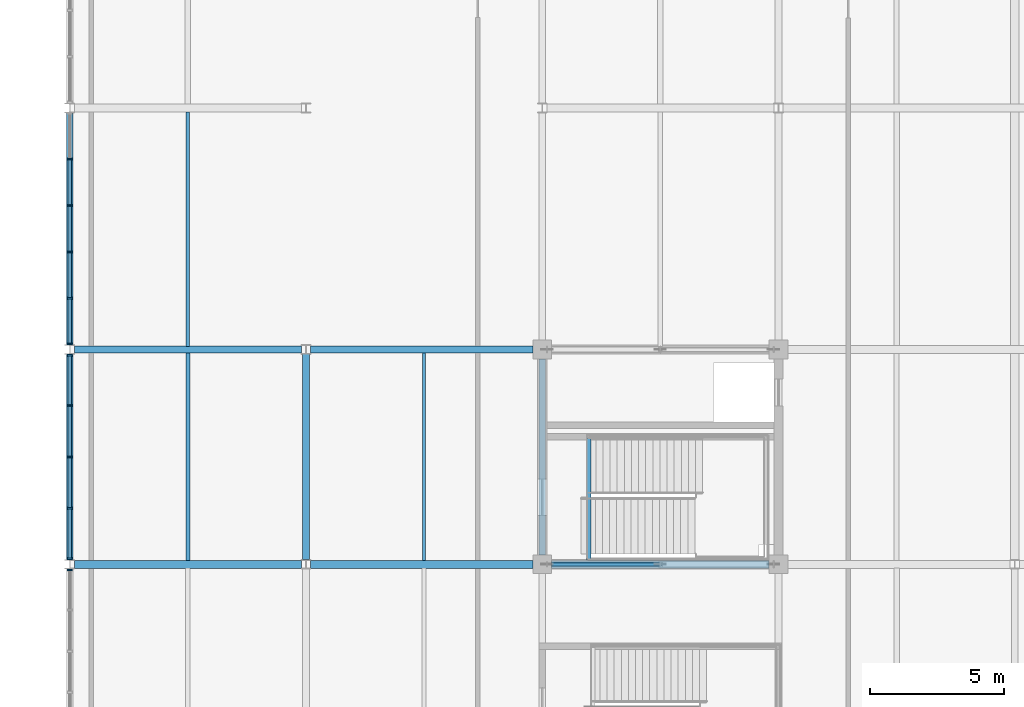
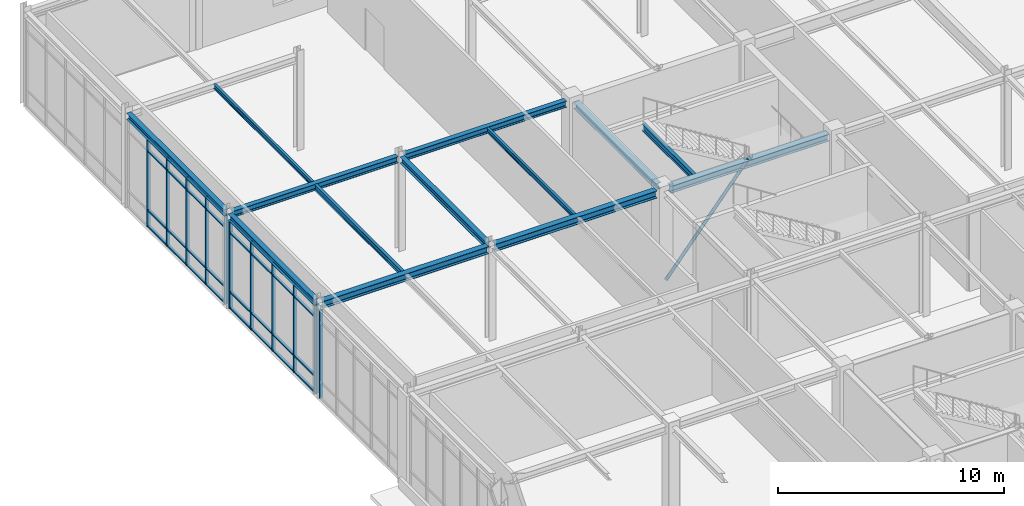
# One storey, part 39 of 108: 44 members, 13 beams, 3 elements without a shape of their own.
"""IFC4 building model written with IfcOpenShell, lengths in metres."""

from ifc_helpers import new_model, si_unit, direction, frame, origin, origin_2d, place, context, subcontext, project, spatial, rectangle, hollow_circle, i_section, extrude, material, material_profile, profile_set, type_object, element, aggregate, save


model = new_model("IFC4")

# Units and contexts
model_context = context("Model", 3, precision=1e-05, world=origin(), true_north=direction((0.0, 1.0)))
body_context = subcontext(model_context, "Body", "Model", "MODEL_VIEW")
ifc_project = project(units=[si_unit("LENGTHUNIT", "METRE"), si_unit("AREAUNIT", "SQUARE_METRE"), si_unit("VOLUMEUNIT", "CUBIC_METRE"), si_unit("PLANEANGLEUNIT", "RADIAN"), si_unit("MASSUNIT", "GRAM", prefix="KILO")], contexts=[model_context])

# Site, building, storey
site_placement = place(None, origin())
site = spatial("IfcSite", under=ifc_project, at=site_placement, CompositionType="ELEMENT")
building_placement = place(site_placement, origin())
building = spatial("IfcBuilding", under=site, at=building_placement, Name="Zhaolan Boulevard Law Courts", CompositionType="ELEMENT")
storey_placement = place(building_placement, frame((0.0, 0.0, 10.800048828125)))
storey = spatial("IfcBuildingStorey", under=building, at=storey_placement, Name="L02", CompositionType="ELEMENT", Elevation=10.800048828125)

# Curtain wall, member
ifc_material_1 = material(Name="Thermally broken aluminium and low-E glazing", Category="aluminium")
curtain_wall_type_1 = type_object("IfcCurtainWallType", Name="CURTAIN WALL M19", PredefinedType="USERDEFINED", material=ifc_material_1)
curtain_wall_1_placement = place(storey_placement, origin())
curtain_wall_1 = element("IfcCurtainWall", 1, at=curtain_wall_1_placement, inside=storey, type_object=curtain_wall_type_1, Name="Curtain Wall CW-L02-115", ObjectType="CURTAIN WALL", PredefinedType="USERDEFINED")
ifc_material_2 = material(Name="Fluorocarbon-coated aluminium 6063-T6", Category="aluminium")
ifc_material_profile_1 = material_profile(ifc_material_2, rectangle(XDim=0.179931640625, YDim=0.06494140625, at=origin_2d()), Name="AL65x180")
ifc_profile_set_1 = profile_set([ifc_material_profile_1], Name="Fluorocarbon-coated aluminium 6063-T6")
member_type_1 = type_object("IfcMemberType", Name="CWMULLION 65X180", PredefinedType="MULLION", material=ifc_profile_set_1)
member_1_placement = place(storey_placement, frame((0.0, 85.79052734375, 0.0), z_axis=(0.0, 0.0, 1.0), x_axis=(1.0, 0.0, 0.0)))
member_1 = element("IfcMember", 2, at=member_1_placement, type_object=member_type_1, Name="CW-L02-115 mullion 1", PredefinedType="MULLION", context=body_context, shape_type="SweptSolid", body=[
    extrude(rectangle(XDim=0.179931640625, YDim=0.06494140625, at=origin_2d()), origin(), (0.0, 0.0, 1.0), 4.762939453125),
])
aggregate(curtain_wall_1, [member_1])

# Curtain wall, members
ifc_material_3 = material(Name="Thermally broken aluminium and low-E glazing", Category="aluminium")
curtain_wall_type_2 = type_object("IfcCurtainWallType", Name="CURTAIN WALL M20", PredefinedType="USERDEFINED", material=ifc_material_3)
curtain_wall_2_placement = place(storey_placement, origin())
curtain_wall_2 = element("IfcCurtainWall", 3, at=curtain_wall_2_placement, inside=storey, type_object=curtain_wall_type_2, Name="Curtain Wall CW-L02-116", ObjectType="CURTAIN WALL", PredefinedType="USERDEFINED")
member_2_placement = place(storey_placement, frame((0.0, 93.79052734375, 0.0), z_axis=(0.0, 0.0, 1.0), x_axis=(1.0, 0.0, 0.0)))
member_2 = element("IfcMember", 4, at=member_2_placement, type_object=member_type_1, Name="CW-L02-116 mullion 1", PredefinedType="MULLION", context=body_context, shape_type="SweptSolid", body=[
    extrude(rectangle(XDim=0.179931640625, YDim=0.06494140625, at=origin_2d()), origin(), (0.0, 0.0, 1.0), 4.762939453125),
])
member_3_placement = place(storey_placement, frame((0.0, 91.91162109375, 0.0), z_axis=(0.0, 0.0, 1.0), x_axis=(1.0, 0.0, 0.0)))
member_3 = element("IfcMember", 5, at=member_3_placement, type_object=member_type_1, Name="CW-L02-116 mullion 2", PredefinedType="MULLION", context=body_context, shape_type="SweptSolid", body=[
    extrude(rectangle(XDim=0.179931640625, YDim=0.06494140625, at=origin_2d()), origin(), (0.0, 0.0, 1.0), 4.762939453125),
])
member_4_placement = place(storey_placement, frame((0.0, 90.0, 0.0), z_axis=(0.0, 0.0, 1.0), x_axis=(1.0, 0.0, 0.0)))
member_4 = element("IfcMember", 6, at=member_4_placement, type_object=member_type_1, Name="CW-L02-116 mullion 3", PredefinedType="MULLION", context=body_context, shape_type="SweptSolid", body=[
    extrude(rectangle(XDim=0.179931640625, YDim=0.06494140625, at=origin_2d()), origin(), (0.0, 0.0, 1.0), 4.762939453125),
])
member_5_placement = place(storey_placement, frame((0.0, 88.08837890625, 0.0), z_axis=(0.0, 0.0, 1.0), x_axis=(1.0, 0.0, 0.0)))
member_5 = element("IfcMember", 7, at=member_5_placement, type_object=member_type_1, Name="CW-L02-116 mullion 4", PredefinedType="MULLION", context=body_context, shape_type="SweptSolid", body=[
    extrude(rectangle(XDim=0.179931640625, YDim=0.06494140625, at=origin_2d()), origin(), (0.0, 0.0, 1.0), 4.762939453125),
])
member_6_placement = place(storey_placement, frame((0.0, 86.20947265625, 0.0), z_axis=(0.0, 0.0, 1.0), x_axis=(1.0, 0.0, 0.0)))
member_6 = element("IfcMember", 8, at=member_6_placement, type_object=member_type_1, Name="CW-L02-116 mullion 5", PredefinedType="MULLION", context=body_context, shape_type="SweptSolid", body=[
    extrude(rectangle(XDim=0.179931640625, YDim=0.06494140625, at=origin_2d()), origin(), (0.0, 0.0, 1.0), 4.762939453125),
])

ifc_material_4 = material(Name="Thermally broken aluminium and low-E glazing", Category="aluminium")
curtain_wall_type_3 = type_object("IfcCurtainWallType", Name="CURTAIN WALL M21", PredefinedType="USERDEFINED", material=ifc_material_4)
curtain_wall_3_placement = place(storey_placement, origin())
curtain_wall_3 = element("IfcCurtainWall", 9, at=curtain_wall_3_placement, inside=storey, type_object=curtain_wall_type_3, Name="Curtain Wall CW-L02-117", ObjectType="CURTAIN WALL", PredefinedType="USERDEFINED")
member_7_placement = place(storey_placement, frame((0.0, 101.09375, 0.0), z_axis=(0.0, 0.0, 1.0), x_axis=(1.0, 0.0, 0.0)))
member_7 = element("IfcMember", 10, at=member_7_placement, type_object=member_type_1, Name="CW-L02-117 mullion 2", PredefinedType="MULLION", context=body_context, shape_type="SweptSolid", body=[
    extrude(rectangle(XDim=0.179931640625, YDim=0.06494140625, at=origin_2d()), origin(), (0.0, 0.0, 1.0), 4.762939453125),
])
member_8_placement = place(storey_placement, frame((0.0, 99.364501953125, 0.0), z_axis=(0.0, 0.0, 1.0), x_axis=(1.0, 0.0, 0.0)))
member_8 = element("IfcMember", 11, at=member_8_placement, type_object=member_type_1, Name="CW-L02-117 mullion 3", PredefinedType="MULLION", context=body_context, shape_type="SweptSolid", body=[
    extrude(rectangle(XDim=0.179931640625, YDim=0.06494140625, at=origin_2d()), origin(), (0.0, 0.0, 1.0), 4.762939453125),
])
member_9_placement = place(storey_placement, frame((0.0, 97.635498046875, 0.0), z_axis=(0.0, 0.0, 1.0), x_axis=(1.0, 0.0, 0.0)))
member_9 = element("IfcMember", 12, at=member_9_placement, type_object=member_type_1, Name="CW-L02-117 mullion 4", PredefinedType="MULLION", context=body_context, shape_type="SweptSolid", body=[
    extrude(rectangle(XDim=0.179931640625, YDim=0.06494140625, at=origin_2d()), origin(), (0.0, 0.0, 1.0), 4.762939453125),
])
member_10_placement = place(storey_placement, frame((0.0, 95.90625, 0.0), z_axis=(0.0, 0.0, 1.0), x_axis=(1.0, 0.0, 0.0)))
member_10 = element("IfcMember", 13, at=member_10_placement, type_object=member_type_1, Name="CW-L02-117 mullion 5", PredefinedType="MULLION", context=body_context, shape_type="SweptSolid", body=[
    extrude(rectangle(XDim=0.179931640625, YDim=0.06494140625, at=origin_2d()), origin(), (0.0, 0.0, 1.0), 4.762939453125),
])
member_11_placement = place(storey_placement, frame((0.0, 94.20947265625, 0.0), z_axis=(0.0, 0.0, 1.0), x_axis=(1.0, 0.0, 0.0)))
member_11 = element("IfcMember", 14, at=member_11_placement, type_object=member_type_1, Name="CW-L02-117 mullion 6", PredefinedType="MULLION", context=body_context, shape_type="SweptSolid", body=[
    extrude(rectangle(XDim=0.179931640625, YDim=0.06494140625, at=origin_2d()), origin(), (0.0, 0.0, 1.0), 4.762939453125),
])

# Member
ifc_material_5 = material(Name="Fluorocarbon-coated aluminium 6063-T6", Category="aluminium")
ifc_material_profile_2 = material_profile(ifc_material_5, rectangle(XDim=0.139892578125, YDim=0.06494140625, at=origin_2d()), Name="AL65x140")
ifc_profile_set_2 = profile_set([ifc_material_profile_2], Name="Fluorocarbon-coated aluminium 6063-T6")
member_type_2 = type_object("IfcMemberType", Name="CWTRANSOM 65X140", PredefinedType="USERDEFINED", material=ifc_profile_set_2)
member_12_placement = place(storey_placement, frame((0.0, 93.758056640625, 0.032470703125), z_axis=(0.0, -1.0, 0.0), x_axis=(1.0, 0.0, 0.0)))
member_12 = element("IfcMember", 15, at=member_12_placement, type_object=member_type_2, Name="CW-L02-116 transom 1.1", ObjectType="TRANSOM", PredefinedType="USERDEFINED", context=body_context, shape_type="SweptSolid", body=[
    extrude(rectangle(XDim=0.139892578125, YDim=0.06494140625, at=origin_2d()), origin(), (0.0, 0.0, 1.0), 1.81396484375),
])

member_13_placement = place(storey_placement, frame((0.0, 93.758056640625, 0.89990234375), z_axis=(0.0, -1.0, 0.0), x_axis=(1.0, 0.0, 0.0)))
member_13 = element("IfcMember", 16, at=member_13_placement, type_object=member_type_2, Name="CW-L02-116 transom 1.2", ObjectType="TRANSOM", PredefinedType="USERDEFINED", context=body_context, shape_type="SweptSolid", body=[
    extrude(rectangle(XDim=0.139892578125, YDim=0.06494140625, at=origin_2d()), origin(), (0.0, 0.0, 1.0), 1.81396484375),
])

member_14_placement = place(storey_placement, frame((0.0, 93.758056640625, 4.113037109375), z_axis=(0.0, -1.0, 0.0), x_axis=(1.0, 0.0, 0.0)))
member_14 = element("IfcMember", 17, at=member_14_placement, type_object=member_type_2, Name="CW-L02-116 transom 1.3", ObjectType="TRANSOM", PredefinedType="USERDEFINED", context=body_context, shape_type="SweptSolid", body=[
    extrude(rectangle(XDim=0.139892578125, YDim=0.06494140625, at=origin_2d()), origin(), (0.0, 0.0, 1.0), 1.81396484375),
])

member_15_placement = place(storey_placement, frame((0.0, 93.758056640625, 4.73046875), z_axis=(0.0, -1.0, 0.0), x_axis=(1.0, 0.0, 0.0)))
member_15 = element("IfcMember", 18, at=member_15_placement, type_object=member_type_2, Name="CW-L02-116 transom 1.4", ObjectType="TRANSOM", PredefinedType="USERDEFINED", context=body_context, shape_type="SweptSolid", body=[
    extrude(rectangle(XDim=0.139892578125, YDim=0.06494140625, at=origin_2d()), origin(), (0.0, 0.0, 1.0), 1.81396484375),
])

member_16_placement = place(storey_placement, frame((0.0, 91.87890625, 0.032470703125), z_axis=(0.0, -1.0, 0.0), x_axis=(1.0, 0.0, 0.0)))
member_16 = element("IfcMember", 19, at=member_16_placement, type_object=member_type_2, Name="CW-L02-116 transom 2.1", ObjectType="TRANSOM", PredefinedType="USERDEFINED", context=body_context, shape_type="SweptSolid", body=[
    extrude(rectangle(XDim=0.139892578125, YDim=0.06494140625, at=origin_2d()), origin(), (0.0, 0.0, 1.0), 1.846435546875),
])

member_17_placement = place(storey_placement, frame((0.0, 91.87890625, 0.89990234375), z_axis=(0.0, -1.0, 0.0), x_axis=(1.0, 0.0, 0.0)))
member_17 = element("IfcMember", 20, at=member_17_placement, type_object=member_type_2, Name="CW-L02-116 transom 2.2", ObjectType="TRANSOM", PredefinedType="USERDEFINED", context=body_context, shape_type="SweptSolid", body=[
    extrude(rectangle(XDim=0.139892578125, YDim=0.06494140625, at=origin_2d()), origin(), (0.0, 0.0, 1.0), 1.846435546875),
])

member_18_placement = place(storey_placement, frame((0.0, 91.87890625, 4.113037109375), z_axis=(0.0, -1.0, 0.0), x_axis=(1.0, 0.0, 0.0)))
member_18 = element("IfcMember", 21, at=member_18_placement, type_object=member_type_2, Name="CW-L02-116 transom 2.3", ObjectType="TRANSOM", PredefinedType="USERDEFINED", context=body_context, shape_type="SweptSolid", body=[
    extrude(rectangle(XDim=0.139892578125, YDim=0.06494140625, at=origin_2d()), origin(), (0.0, 0.0, 1.0), 1.846435546875),
])

member_19_placement = place(storey_placement, frame((0.0, 91.87890625, 4.73046875), z_axis=(0.0, -1.0, 0.0), x_axis=(1.0, 0.0, 0.0)))
member_19 = element("IfcMember", 22, at=member_19_placement, type_object=member_type_2, Name="CW-L02-116 transom 2.4", ObjectType="TRANSOM", PredefinedType="USERDEFINED", context=body_context, shape_type="SweptSolid", body=[
    extrude(rectangle(XDim=0.139892578125, YDim=0.06494140625, at=origin_2d()), origin(), (0.0, 0.0, 1.0), 1.846435546875),
])

member_20_placement = place(storey_placement, frame((0.0, 89.967529296875, 0.032470703125), z_axis=(0.0, -1.0, 0.0), x_axis=(1.0, 0.0, 0.0)))
member_20 = element("IfcMember", 23, at=member_20_placement, type_object=member_type_2, Name="CW-L02-116 transom 3.1", ObjectType="TRANSOM", PredefinedType="USERDEFINED", context=body_context, shape_type="SweptSolid", body=[
    extrude(rectangle(XDim=0.139892578125, YDim=0.06494140625, at=origin_2d()), origin(), (0.0, 0.0, 1.0), 1.846435546875),
])

member_21_placement = place(storey_placement, frame((0.0, 89.967529296875, 0.89990234375), z_axis=(0.0, -1.0, 0.0), x_axis=(1.0, 0.0, 0.0)))
member_21 = element("IfcMember", 24, at=member_21_placement, type_object=member_type_2, Name="CW-L02-116 transom 3.2", ObjectType="TRANSOM", PredefinedType="USERDEFINED", context=body_context, shape_type="SweptSolid", body=[
    extrude(rectangle(XDim=0.139892578125, YDim=0.06494140625, at=origin_2d()), origin(), (0.0, 0.0, 1.0), 1.846435546875),
])

member_22_placement = place(storey_placement, frame((0.0, 89.967529296875, 4.113037109375), z_axis=(0.0, -1.0, 0.0), x_axis=(1.0, 0.0, 0.0)))
member_22 = element("IfcMember", 25, at=member_22_placement, type_object=member_type_2, Name="CW-L02-116 transom 3.3", ObjectType="TRANSOM", PredefinedType="USERDEFINED", context=body_context, shape_type="SweptSolid", body=[
    extrude(rectangle(XDim=0.139892578125, YDim=0.06494140625, at=origin_2d()), origin(), (0.0, 0.0, 1.0), 1.846435546875),
])

member_23_placement = place(storey_placement, frame((0.0, 89.967529296875, 4.73046875), z_axis=(0.0, -1.0, 0.0), x_axis=(1.0, 0.0, 0.0)))
member_23 = element("IfcMember", 26, at=member_23_placement, type_object=member_type_2, Name="CW-L02-116 transom 3.4", ObjectType="TRANSOM", PredefinedType="USERDEFINED", context=body_context, shape_type="SweptSolid", body=[
    extrude(rectangle(XDim=0.139892578125, YDim=0.06494140625, at=origin_2d()), origin(), (0.0, 0.0, 1.0), 1.846435546875),
])

member_24_placement = place(storey_placement, frame((0.0, 88.055908203125, 0.032470703125), z_axis=(0.0, -1.0, 0.0), x_axis=(1.0, 0.0, 0.0)))
member_24 = element("IfcMember", 27, at=member_24_placement, type_object=member_type_2, Name="CW-L02-116 transom 4.1", ObjectType="TRANSOM", PredefinedType="USERDEFINED", context=body_context, shape_type="SweptSolid", body=[
    extrude(rectangle(XDim=0.139892578125, YDim=0.06494140625, at=origin_2d()), origin(), (0.0, 0.0, 1.0), 1.81396484375),
])

member_25_placement = place(storey_placement, frame((0.0, 88.055908203125, 0.89990234375), z_axis=(0.0, -1.0, 0.0), x_axis=(1.0, 0.0, 0.0)))
member_25 = element("IfcMember", 28, at=member_25_placement, type_object=member_type_2, Name="CW-L02-116 transom 4.2", ObjectType="TRANSOM", PredefinedType="USERDEFINED", context=body_context, shape_type="SweptSolid", body=[
    extrude(rectangle(XDim=0.139892578125, YDim=0.06494140625, at=origin_2d()), origin(), (0.0, 0.0, 1.0), 1.81396484375),
])

member_26_placement = place(storey_placement, frame((0.0, 88.055908203125, 4.113037109375), z_axis=(0.0, -1.0, 0.0), x_axis=(1.0, 0.0, 0.0)))
member_26 = element("IfcMember", 29, at=member_26_placement, type_object=member_type_2, Name="CW-L02-116 transom 4.3", ObjectType="TRANSOM", PredefinedType="USERDEFINED", context=body_context, shape_type="SweptSolid", body=[
    extrude(rectangle(XDim=0.139892578125, YDim=0.06494140625, at=origin_2d()), origin(), (0.0, 0.0, 1.0), 1.81396484375),
])

member_27_placement = place(storey_placement, frame((0.0, 88.055908203125, 4.73046875), z_axis=(0.0, -1.0, 0.0), x_axis=(1.0, 0.0, 0.0)))
member_27 = element("IfcMember", 30, at=member_27_placement, type_object=member_type_2, Name="CW-L02-116 transom 4.4", ObjectType="TRANSOM", PredefinedType="USERDEFINED", context=body_context, shape_type="SweptSolid", body=[
    extrude(rectangle(XDim=0.139892578125, YDim=0.06494140625, at=origin_2d()), origin(), (0.0, 0.0, 1.0), 1.81396484375),
])

aggregate(curtain_wall_2, [member_2, member_3, member_4, member_5, member_6, member_12, member_13, member_14, member_15, member_16, member_17, member_18, member_19, member_20, member_21, member_22, member_23, member_24, member_25, member_26, member_27])

member_28_placement = place(storey_placement, frame((0.0, 101.061279296875, 0.032470703125), z_axis=(0.0, -1.0, 0.0), x_axis=(1.0, 0.0, 0.0)))
member_28 = element("IfcMember", 31, at=member_28_placement, type_object=member_type_2, Name="CW-L02-117 transom 2.1", ObjectType="TRANSOM", PredefinedType="USERDEFINED", context=body_context, shape_type="SweptSolid", body=[
    extrude(rectangle(XDim=0.139892578125, YDim=0.06494140625, at=origin_2d()), origin(), (0.0, 0.0, 1.0), 1.6640625),
])

member_29_placement = place(storey_placement, frame((0.0, 101.061279296875, 0.89990234375), z_axis=(0.0, -1.0, 0.0), x_axis=(1.0, 0.0, 0.0)))
member_29 = element("IfcMember", 32, at=member_29_placement, type_object=member_type_2, Name="CW-L02-117 transom 2.2", ObjectType="TRANSOM", PredefinedType="USERDEFINED", context=body_context, shape_type="SweptSolid", body=[
    extrude(rectangle(XDim=0.139892578125, YDim=0.06494140625, at=origin_2d()), origin(), (0.0, 0.0, 1.0), 1.6640625),
])

member_30_placement = place(storey_placement, frame((0.0, 101.061279296875, 4.113037109375), z_axis=(0.0, -1.0, 0.0), x_axis=(1.0, 0.0, 0.0)))
member_30 = element("IfcMember", 33, at=member_30_placement, type_object=member_type_2, Name="CW-L02-117 transom 2.3", ObjectType="TRANSOM", PredefinedType="USERDEFINED", context=body_context, shape_type="SweptSolid", body=[
    extrude(rectangle(XDim=0.139892578125, YDim=0.06494140625, at=origin_2d()), origin(), (0.0, 0.0, 1.0), 1.6640625),
])

member_31_placement = place(storey_placement, frame((0.0, 101.061279296875, 4.73046875), z_axis=(0.0, -1.0, 0.0), x_axis=(1.0, 0.0, 0.0)))
member_31 = element("IfcMember", 34, at=member_31_placement, type_object=member_type_2, Name="CW-L02-117 transom 2.4", ObjectType="TRANSOM", PredefinedType="USERDEFINED", context=body_context, shape_type="SweptSolid", body=[
    extrude(rectangle(XDim=0.139892578125, YDim=0.06494140625, at=origin_2d()), origin(), (0.0, 0.0, 1.0), 1.6640625),
])

member_32_placement = place(storey_placement, frame((0.0, 99.33203125, 0.032470703125), z_axis=(0.0, -1.0, 0.0), x_axis=(1.0, 0.0, 0.0)))
member_32 = element("IfcMember", 35, at=member_32_placement, type_object=member_type_2, Name="CW-L02-117 transom 3.1", ObjectType="TRANSOM", PredefinedType="USERDEFINED", context=body_context, shape_type="SweptSolid", body=[
    extrude(rectangle(XDim=0.139892578125, YDim=0.06494140625, at=origin_2d()), origin(), (0.0, 0.0, 1.0), 1.6640625),
])

member_33_placement = place(storey_placement, frame((0.0, 99.33203125, 0.89990234375), z_axis=(0.0, -1.0, 0.0), x_axis=(1.0, 0.0, 0.0)))
member_33 = element("IfcMember", 36, at=member_33_placement, type_object=member_type_2, Name="CW-L02-117 transom 3.2", ObjectType="TRANSOM", PredefinedType="USERDEFINED", context=body_context, shape_type="SweptSolid", body=[
    extrude(rectangle(XDim=0.139892578125, YDim=0.06494140625, at=origin_2d()), origin(), (0.0, 0.0, 1.0), 1.6640625),
])

member_34_placement = place(storey_placement, frame((0.0, 99.33203125, 4.113037109375), z_axis=(0.0, -1.0, 0.0), x_axis=(1.0, 0.0, 0.0)))
member_34 = element("IfcMember", 37, at=member_34_placement, type_object=member_type_2, Name="CW-L02-117 transom 3.3", ObjectType="TRANSOM", PredefinedType="USERDEFINED", context=body_context, shape_type="SweptSolid", body=[
    extrude(rectangle(XDim=0.139892578125, YDim=0.06494140625, at=origin_2d()), origin(), (0.0, 0.0, 1.0), 1.6640625),
])

member_35_placement = place(storey_placement, frame((0.0, 99.33203125, 4.73046875), z_axis=(0.0, -1.0, 0.0), x_axis=(1.0, 0.0, 0.0)))
member_35 = element("IfcMember", 38, at=member_35_placement, type_object=member_type_2, Name="CW-L02-117 transom 3.4", ObjectType="TRANSOM", PredefinedType="USERDEFINED", context=body_context, shape_type="SweptSolid", body=[
    extrude(rectangle(XDim=0.139892578125, YDim=0.06494140625, at=origin_2d()), origin(), (0.0, 0.0, 1.0), 1.6640625),
])

member_36_placement = place(storey_placement, frame((0.0, 97.602783203125, 0.032470703125), z_axis=(0.0, -1.0, 0.0), x_axis=(1.0, 0.0, 0.0)))
member_36 = element("IfcMember", 39, at=member_36_placement, type_object=member_type_2, Name="CW-L02-117 transom 4.1", ObjectType="TRANSOM", PredefinedType="USERDEFINED", context=body_context, shape_type="SweptSolid", body=[
    extrude(rectangle(XDim=0.139892578125, YDim=0.06494140625, at=origin_2d()), origin(), (0.0, 0.0, 1.0), 1.6640625),
])

member_37_placement = place(storey_placement, frame((0.0, 97.602783203125, 0.89990234375), z_axis=(0.0, -1.0, 0.0), x_axis=(1.0, 0.0, 0.0)))
member_37 = element("IfcMember", 40, at=member_37_placement, type_object=member_type_2, Name="CW-L02-117 transom 4.2", ObjectType="TRANSOM", PredefinedType="USERDEFINED", context=body_context, shape_type="SweptSolid", body=[
    extrude(rectangle(XDim=0.139892578125, YDim=0.06494140625, at=origin_2d()), origin(), (0.0, 0.0, 1.0), 1.6640625),
])

member_38_placement = place(storey_placement, frame((0.0, 97.602783203125, 4.113037109375), z_axis=(0.0, -1.0, 0.0), x_axis=(1.0, 0.0, 0.0)))
member_38 = element("IfcMember", 41, at=member_38_placement, type_object=member_type_2, Name="CW-L02-117 transom 4.3", ObjectType="TRANSOM", PredefinedType="USERDEFINED", context=body_context, shape_type="SweptSolid", body=[
    extrude(rectangle(XDim=0.139892578125, YDim=0.06494140625, at=origin_2d()), origin(), (0.0, 0.0, 1.0), 1.6640625),
])

member_39_placement = place(storey_placement, frame((0.0, 97.602783203125, 4.73046875), z_axis=(0.0, -1.0, 0.0), x_axis=(1.0, 0.0, 0.0)))
member_39 = element("IfcMember", 42, at=member_39_placement, type_object=member_type_2, Name="CW-L02-117 transom 4.4", ObjectType="TRANSOM", PredefinedType="USERDEFINED", context=body_context, shape_type="SweptSolid", body=[
    extrude(rectangle(XDim=0.139892578125, YDim=0.06494140625, at=origin_2d()), origin(), (0.0, 0.0, 1.0), 1.6640625),
])

member_40_placement = place(storey_placement, frame((0.0, 95.873779296875, 0.032470703125), z_axis=(0.0, -1.0, 0.0), x_axis=(1.0, 0.0, 0.0)))
member_40 = element("IfcMember", 43, at=member_40_placement, type_object=member_type_2, Name="CW-L02-117 transom 5.1", ObjectType="TRANSOM", PredefinedType="USERDEFINED", context=body_context, shape_type="SweptSolid", body=[
    extrude(rectangle(XDim=0.139892578125, YDim=0.06494140625, at=origin_2d()), origin(), (0.0, 0.0, 1.0), 1.6318359375),
])

member_41_placement = place(storey_placement, frame((0.0, 95.873779296875, 0.89990234375), z_axis=(0.0, -1.0, 0.0), x_axis=(1.0, 0.0, 0.0)))
member_41 = element("IfcMember", 44, at=member_41_placement, type_object=member_type_2, Name="CW-L02-117 transom 5.2", ObjectType="TRANSOM", PredefinedType="USERDEFINED", context=body_context, shape_type="SweptSolid", body=[
    extrude(rectangle(XDim=0.139892578125, YDim=0.06494140625, at=origin_2d()), origin(), (0.0, 0.0, 1.0), 1.6318359375),
])

member_42_placement = place(storey_placement, frame((0.0, 95.873779296875, 4.113037109375), z_axis=(0.0, -1.0, 0.0), x_axis=(1.0, 0.0, 0.0)))
member_42 = element("IfcMember", 45, at=member_42_placement, type_object=member_type_2, Name="CW-L02-117 transom 5.3", ObjectType="TRANSOM", PredefinedType="USERDEFINED", context=body_context, shape_type="SweptSolid", body=[
    extrude(rectangle(XDim=0.139892578125, YDim=0.06494140625, at=origin_2d()), origin(), (0.0, 0.0, 1.0), 1.6318359375),
])

member_43_placement = place(storey_placement, frame((0.0, 95.873779296875, 4.73046875), z_axis=(0.0, -1.0, 0.0), x_axis=(1.0, 0.0, 0.0)))
member_43 = element("IfcMember", 46, at=member_43_placement, type_object=member_type_2, Name="CW-L02-117 transom 5.4", ObjectType="TRANSOM", PredefinedType="USERDEFINED", context=body_context, shape_type="SweptSolid", body=[
    extrude(rectangle(XDim=0.139892578125, YDim=0.06494140625, at=origin_2d()), origin(), (0.0, 0.0, 1.0), 1.6318359375),
])

aggregate(curtain_wall_3, [member_7, member_8, member_9, member_10, member_11, member_28, member_29, member_30, member_31, member_32, member_33, member_34, member_35, member_36, member_37, member_38, member_39, member_40, member_41, member_42, member_43])

# Beams
ifc_material_6 = material(Name="Structural steel Q355B", Category="steel")
ifc_material_profile_3 = material_profile(ifc_material_6, i_section(OverallWidth=0.25, OverallDepth=0.340087890625, WebThickness=0.009033203125, FlangeThickness=0.013916015625, FilletRadius=0.01611328125, at=origin_2d()), Name="HM340x250")
ifc_profile_set_3 = profile_set([ifc_material_profile_3], Name="Structural steel Q355B")
beam_type_1 = type_object("IfcBeamType", Name="GIRDER HM340", PredefinedType="BEAM", material=ifc_profile_set_3)
beam_1_placement = place(storey_placement, frame((0.0, 86.1708984375, 4.947998046875), z_axis=(0.0, 1.0, 0.0), x_axis=(-1.0, 0.0, 0.0)))
element("IfcBeam", 47, at=beam_1_placement, inside=storey, type_object=beam_type_1, Name="Beam BY-L03-1-M-N", PredefinedType="BEAM", context=body_context, shape_type="SweptSolid", body=[
    extrude(i_section(OverallWidth=0.25, OverallDepth=0.340087890625, WebThickness=0.009033203125, FlangeThickness=0.013916015625, FilletRadius=0.01611328125, at=origin_2d()), origin(), (0.0, 0.0, 1.0), 7.658203125),
])
beam_2_placement = place(storey_placement, frame((0.0, 94.1708984375, 4.947998046875), z_axis=(0.0, 1.0, 0.0), x_axis=(-1.0, 0.0, 0.0)))
element("IfcBeam", 48, at=beam_2_placement, inside=storey, type_object=beam_type_1, Name="Beam BY-L03-1-N-P", PredefinedType="BEAM", context=body_context, shape_type="SweptSolid", body=[
    extrude(i_section(OverallWidth=0.25, OverallDepth=0.340087890625, WebThickness=0.009033203125, FlangeThickness=0.013916015625, FilletRadius=0.01611328125, at=origin_2d()), origin(), (0.0, 0.0, 1.0), 8.658203125),
])
beam_3_placement = place(storey_placement, frame((8.800048828125, 86.1708984375, 4.947998046875), z_axis=(0.0, 1.0, 0.0), x_axis=(-1.0, 0.0, 0.0)))
element("IfcBeam", 49, at=beam_3_placement, inside=storey, type_object=beam_type_1, Name="Beam BY-L03-2-M-N", PredefinedType="BEAM", context=body_context, shape_type="SweptSolid", body=[
    extrude(i_section(OverallWidth=0.25, OverallDepth=0.340087890625, WebThickness=0.009033203125, FlangeThickness=0.013916015625, FilletRadius=0.01611328125, at=origin_2d()), origin(), (0.0, 0.0, 1.0), 7.658203125),
])
beam_4_placement = place(storey_placement, frame((17.60009765625, 86.345947265625, 4.947998046875), z_axis=(0.0, 1.0, 0.0), x_axis=(-1.0, 0.0, 0.0)))
element("IfcBeam", 50, at=beam_4_placement, inside=storey, type_object=beam_type_1, Name="Beam BY-L03-3-M-N", PredefinedType="BEAM", context=body_context, shape_type="SweptSolid", body=[
    extrude(i_section(OverallWidth=0.25, OverallDepth=0.340087890625, WebThickness=0.009033203125, FlangeThickness=0.013916015625, FilletRadius=0.01611328125, at=origin_2d()), origin(), (0.0, 0.0, 1.0), 7.30810546875),
])
ifc_material_7 = material(Name="Structural steel Q355B", Category="steel")
ifc_material_profile_4 = material_profile(ifc_material_7, i_section(OverallWidth=0.300048828125, OverallDepth=0.389892578125, WebThickness=0.010009765625, FlangeThickness=0.01611328125, FilletRadius=0.01806640625, at=origin_2d()), Name="HM390x300")
ifc_profile_set_4 = profile_set([ifc_material_profile_4], Name="Structural steel Q355B")
beam_type_2 = type_object("IfcBeamType", Name="GIRDER HM390", PredefinedType="BEAM", material=ifc_profile_set_4)
beam_5_placement = place(storey_placement, frame((0.1708984375, 86.0, 4.9228515625), z_axis=(1.0, 0.0, 0.0), x_axis=(0.0, 1.0, 0.0)))
element("IfcBeam", 51, at=beam_5_placement, inside=storey, type_object=beam_type_2, Name="Beam BX-L03-1-2-M", PredefinedType="BEAM", context=body_context, shape_type="SweptSolid", body=[
    extrude(i_section(OverallWidth=0.300048828125, OverallDepth=0.389892578125, WebThickness=0.010009765625, FlangeThickness=0.01611328125, FilletRadius=0.01806640625, at=origin_2d()), origin(), (0.0, 0.0, 1.0), 8.4580078125),
])
beam_6_placement = place(storey_placement, frame((8.970947265625, 86.0, 4.9228515625), z_axis=(1.0, 0.0, 0.0), x_axis=(0.0, 1.0, 0.0)))
element("IfcBeam", 52, at=beam_6_placement, inside=storey, type_object=beam_type_2, Name="Beam BX-L03-2-3-M", PredefinedType="BEAM", context=body_context, shape_type="SweptSolid", body=[
    extrude(i_section(OverallWidth=0.300048828125, OverallDepth=0.389892578125, WebThickness=0.010009765625, FlangeThickness=0.01611328125, FilletRadius=0.01806640625, at=origin_2d()), origin(), (0.0, 0.0, 1.0), 8.282958984375),
])
beam_7_placement = place(storey_placement, frame((17.946044921875, 86.0, 4.9228515625), z_axis=(1.0, 0.0, 0.0), x_axis=(0.0, 1.0, 0.0)))
element("IfcBeam", 53, at=beam_7_placement, inside=storey, type_object=beam_type_2, Name="Beam BX-L03-3-4-M", PredefinedType="BEAM", context=body_context, shape_type="SweptSolid", body=[
    extrude(i_section(OverallWidth=0.300048828125, OverallDepth=0.389892578125, WebThickness=0.010009765625, FlangeThickness=0.01611328125, FilletRadius=0.01806640625, at=origin_2d()), origin(), (0.0, 0.0, 1.0), 8.10791015625),
])
ifc_material_8 = material(Name="Structural steel Q355B", Category="steel")
ifc_material_profile_5 = material_profile(ifc_material_8, i_section(OverallWidth=0.125, OverallDepth=0.25, WebThickness=0.006103515625, FlangeThickness=0.009033203125, FilletRadius=0.010009765625, at=origin_2d()), Name="HN250x125")
ifc_profile_set_5 = profile_set([ifc_material_profile_5], Name="Structural steel Q355B")
beam_type_3 = type_object("IfcBeamType", Name="JOIST HN250", PredefinedType="JOIST", material=ifc_profile_set_5)
beam_8_placement = place(storey_placement, frame((4.39990234375, 94.12109375, 4.992919921875), z_axis=(0.0, 1.0, 0.0), x_axis=(-1.0, 0.0, 0.0)))
element("IfcBeam", 54, at=beam_8_placement, inside=storey, type_object=beam_type_3, Name="Composite Joist J-L03-1N", PredefinedType="JOIST", context=body_context, shape_type="SweptSolid", body=[
    extrude(i_section(OverallWidth=0.125, OverallDepth=0.25, WebThickness=0.006103515625, FlangeThickness=0.009033203125, FilletRadius=0.010009765625, at=origin_2d()), origin(), (0.0, 0.0, 1.0), 8.73291015625),
])
beam_9_placement = place(storey_placement, frame((13.199951171875, 86.14599609375, 4.992919921875), z_axis=(0.0, 1.0, 0.0), x_axis=(-1.0, 0.0, 0.0)))
element("IfcBeam", 55, at=beam_9_placement, inside=storey, type_object=beam_type_3, Name="Composite Joist J-L03-2M", PredefinedType="JOIST", context=body_context, shape_type="SweptSolid", body=[
    extrude(i_section(OverallWidth=0.125, OverallDepth=0.25, WebThickness=0.006103515625, FlangeThickness=0.009033203125, FilletRadius=0.010009765625, at=origin_2d()), origin(), (0.0, 0.0, 1.0), 7.73291015625),
])
ifc_material_9 = material(Name="Structural steel Q355B", Category="steel")
ifc_material_profile_6 = material_profile(ifc_material_9, i_section(OverallWidth=0.14990234375, OverallDepth=0.300048828125, WebThickness=0.006591796875, FlangeThickness=0.009033203125, FilletRadius=0.010986328125, at=origin_2d()), Name="HN300x150")
ifc_profile_set_6 = profile_set([ifc_material_profile_6], Name="Structural steel Q355B")
beam_type_4 = type_object("IfcBeamType", Name="JOIST HN300", PredefinedType="JOIST", material=ifc_profile_set_6)
beam_10_placement = place(storey_placement, frame((4.39990234375, 86.14599609375, 4.968017578125), z_axis=(0.0, 1.0, 0.0), x_axis=(-1.0, 0.0, 0.0)))
element("IfcBeam", 56, at=beam_10_placement, inside=storey, type_object=beam_type_4, Name="Composite Joist J-L03-1M", PredefinedType="JOIST", context=body_context, shape_type="SweptSolid", body=[
    extrude(i_section(OverallWidth=0.14990234375, OverallDepth=0.300048828125, WebThickness=0.006591796875, FlangeThickness=0.009033203125, FilletRadius=0.010986328125, at=origin_2d()), origin(), (0.0, 0.0, 1.0), 7.73291015625),
])
ifc_material_10 = material(Name="Structural steel Q355B", Category="steel")
ifc_material_profile_7 = material_profile(ifc_material_10, i_section(OverallWidth=0.25, OverallDepth=0.340087890625, WebThickness=0.009033203125, FlangeThickness=0.013916015625, FilletRadius=0.01611328125, at=origin_2d()), Name="HM340x250")
ifc_profile_set_7 = profile_set([ifc_material_profile_7], Name="Structural steel Q355B")
beam_type_5 = type_object("IfcBeamType", Name="SPANDREL HM340", PredefinedType="SPANDREL", material=ifc_profile_set_7)
beam_11_placement = place(storey_placement, frame((0.1708984375, 94.0, 4.947998046875), z_axis=(1.0, 0.0, 0.0), x_axis=(0.0, 1.0, 0.0)))
element("IfcBeam", 57, at=beam_11_placement, inside=storey, type_object=beam_type_5, Name="Beam BX-L03-1-2-N", PredefinedType="SPANDREL", context=body_context, shape_type="SweptSolid", body=[
    extrude(i_section(OverallWidth=0.25, OverallDepth=0.340087890625, WebThickness=0.009033203125, FlangeThickness=0.013916015625, FilletRadius=0.01611328125, at=origin_2d()), origin(), (0.0, 0.0, 1.0), 8.4580078125),
])
beam_12_placement = place(storey_placement, frame((8.970947265625, 94.0, 4.947998046875), z_axis=(1.0, 0.0, 0.0), x_axis=(0.0, 1.0, 0.0)))
element("IfcBeam", 58, at=beam_12_placement, inside=storey, type_object=beam_type_5, Name="Beam BX-L03-2-3-N", PredefinedType="SPANDREL", context=body_context, shape_type="SweptSolid", body=[
    extrude(i_section(OverallWidth=0.25, OverallDepth=0.340087890625, WebThickness=0.009033203125, FlangeThickness=0.013916015625, FilletRadius=0.01611328125, at=origin_2d()), origin(), (0.0, 0.0, 1.0), 8.282958984375),
])
ifc_material_11 = material(Name="Structural steel Q355B", Category="steel")
ifc_material_profile_8 = material_profile(ifc_material_11, i_section(OverallWidth=0.175048828125, OverallDepth=0.35009765625, WebThickness=0.007080078125, FlangeThickness=0.010986328125, FilletRadius=0.012939453125, at=origin_2d()), Name="HN350x175")
ifc_profile_set_8 = profile_set([ifc_material_profile_8], Name="Structural steel Q355B")
beam_type_6 = type_object("IfcBeamType", Name="STAIR TRIMMER HN350", PredefinedType="BEAM", material=ifc_profile_set_8)
beam_13_placement = place(storey_placement, frame((19.3349609375, 86.1650390625, 4.93505859375), z_axis=(0.0, 1.0, 0.0), x_axis=(-1.0, 0.0, 0.0)))
element("IfcBeam", 59, at=beam_13_placement, inside=storey, type_object=beam_type_6, Name="Stair Landing Trimmer Beam STB-ST10-L03", PredefinedType="BEAM", context=body_context, shape_type="SweptSolid", body=[
    extrude(i_section(OverallWidth=0.175048828125, OverallDepth=0.35009765625, WebThickness=0.007080078125, FlangeThickness=0.010986328125, FilletRadius=0.012939453125, at=origin_2d()), origin(), (0.0, 0.0, 1.0), 4.544921875),
])

# Member
ifc_material_12 = material(Name="Structural steel Q355B", Category="steel")
ifc_material_profile_9 = material_profile(ifc_material_12, hollow_circle(Radius=0.083984375, WallThickness=0.008056640625, at=origin_2d()), Name="CHS168x8")
ifc_profile_set_9 = profile_set([ifc_material_profile_9], Name="Structural steel Q355B")
member_type_3 = type_object("IfcMemberType", Name="STRUT CHS168", PredefinedType="BRACE", material=ifc_profile_set_9)
member_44_placement = place(storey_placement, frame((17.780029296875, 86.0, 0.030029296875), z_axis=(0.638257420724, 0.0, 0.769823008808), x_axis=(0.0, 1.0, 0.0)))
element("IfcMember", 60, at=member_44_placement, inside=storey, type_object=member_type_3, Name="Core Brace BR-L1-L02-S1", PredefinedType="BRACE", context=body_context, shape_type="SweptSolid", body=[
    extrude(hollow_circle(Radius=0.083984375, WallThickness=0.008056640625, at=origin_2d()), origin(), (0.0, 0.0, 1.0), 6.61181640625),
])

save(model, "model.ifc")
